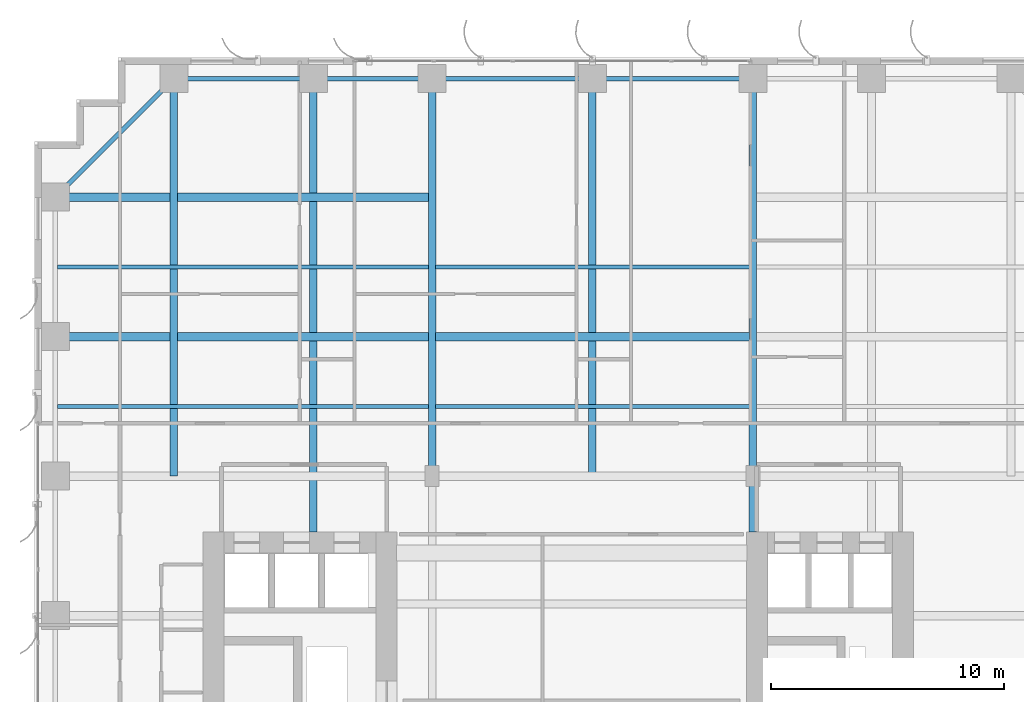
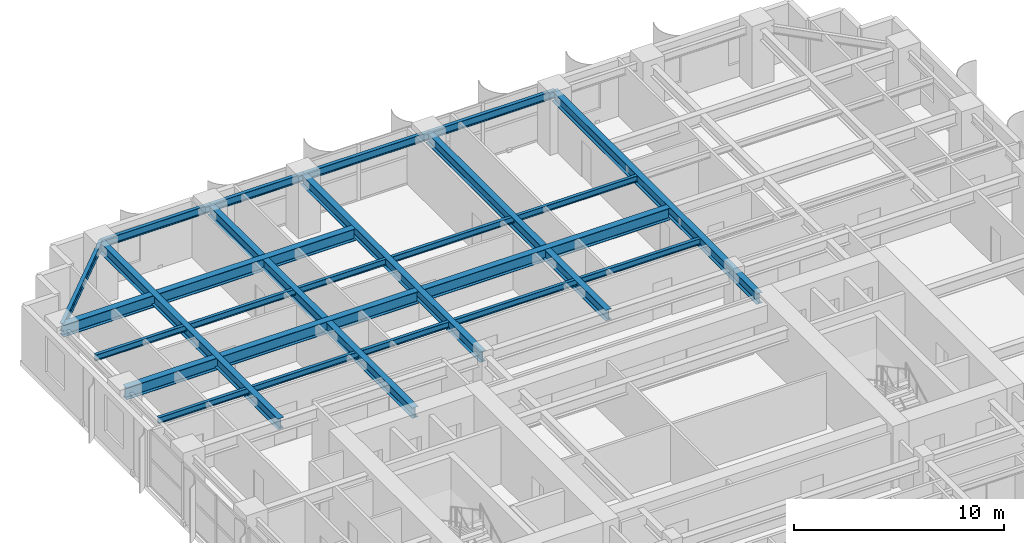
# One storey, part 9 of 23: 17 beams.
"""IFC4 building model written with IfcOpenShell, lengths in metres."""

from ifc_helpers import new_model, si_unit, direction, frame, origin, origin_2d, place, context, subcontext, project, spatial, i_section, extrude, source, transform, mapped, material, material_profile, profile_set, type_object, element, save


model = new_model("IFC4")

# Units and contexts
model_context = context("Model", 3, precision=1e-05, world=origin(), true_north=direction((0.0, 1.0)))
body_context = subcontext(model_context, "Body", "Model", "MODEL_VIEW")
ifc_project = project(units=[si_unit("LENGTHUNIT", "METRE"), si_unit("AREAUNIT", "SQUARE_METRE"), si_unit("VOLUMEUNIT", "CUBIC_METRE"), si_unit("PLANEANGLEUNIT", "RADIAN"), si_unit("MASSUNIT", "GRAM", prefix="KILO")], contexts=[model_context])

# Site, building, storey
site_placement = place(None, origin())
site = spatial("IfcSite", under=ifc_project, at=site_placement, CompositionType="ELEMENT")
building_placement = place(site_placement, origin())
building = spatial("IfcBuilding", under=site, at=building_placement, Name="Khoralis Quay Care Tower", CompositionType="ELEMENT")
storey_placement = place(building_placement, frame((0.0, 0.0, 72.89990234375)))
storey = spatial("IfcBuildingStorey", under=building, at=storey_placement, Name="L19", CompositionType="ELEMENT", Elevation=72.89990234375)

# Beams
ifc_material = material(Name="Steel S355", Category="steel")
ifc_material_profile_1 = material_profile(ifc_material, i_section(OverallWidth=0.18994140625, OverallDepth=0.449951171875, WebThickness=0.009521484375, FlangeThickness=0.0146484375, FilletRadius=0.02099609375, at=origin_2d()), Name="Steel S355")
ifc_profile_set_1 = profile_set([ifc_material_profile_1], Name="Steel S355")
beam_type_1 = type_object("IfcBeamType", Name="BM-IPE450", PredefinedType="SPANDREL", material=ifc_profile_set_1)
shared_shape_1 = source(origin(), body_context, "Body", "SweptSolid", [
    extrude(i_section(OverallWidth=0.18994140625, OverallDepth=0.449951171875, WebThickness=0.009521484375, FlangeThickness=0.0146484375, FilletRadius=0.02099609375, at=origin_2d()), origin(), (0.0, 0.0, 1.0), 6.0),
])
beam_1_placement = place(storey_placement, frame((6.0, 47.10009765625, 3.05517578125), z_axis=(1.0, 0.0, 0.0), x_axis=(0.0, 1.0, 0.0)))
element("IfcBeam", 1, at=beam_1_placement, inside=storey, type_object=beam_type_1, Name="BM-TSP-L19-07", PredefinedType="SPANDREL", context=body_context, shape_type="MappedRepresentation", body=[
    mapped(shared_shape_1, transform((0.0, 0.0, 0.0), scale=1.0)),
])
shared_shape_2 = source(origin(), body_context, "Body", "SweptSolid", [
    extrude(i_section(OverallWidth=0.18994140625, OverallDepth=0.449951171875, WebThickness=0.009521484375, FlangeThickness=0.0146484375, FilletRadius=0.02099609375, at=origin_2d()), origin(), (0.0, 0.0, 1.0), 5.10009765625),
])
beam_2_placement = place(storey_placement, frame((12.0, 47.10009765625, 3.05517578125), z_axis=(1.0, 0.0, 0.0), x_axis=(0.0, 1.0, 0.0)))
element("IfcBeam", 2, at=beam_2_placement, inside=storey, type_object=beam_type_1, Name="BM-TSP-L19-08", PredefinedType="SPANDREL", context=body_context, shape_type="MappedRepresentation", body=[
    mapped(shared_shape_2, transform((0.0, 0.0, 0.0), scale=1.0)),
])
shared_shape_3 = source(origin(), body_context, "Body", "SweptSolid", [
    extrude(i_section(OverallWidth=0.18994140625, OverallDepth=0.449951171875, WebThickness=0.009521484375, FlangeThickness=0.0146484375, FilletRadius=0.02099609375, at=origin_2d()), origin(), (0.0, 0.0, 1.0), 6.89990234375),
])
for number, where, z_axis, x_axis, name in (
    (3, (17.10009765625, 47.10009765625, 3.05517578125), (1.0, 0.0, 0.0), (0.0, 1.0, 0.0), "BM-TSP-L19-09"),
    (4, (24.0, 47.10009765625, 3.05517578125), (1.0, 0.0, 0.0), (0.0, 1.0, 0.0), "BM-TSP-L19-10"),
):
    element("IfcBeam", number, at=place(storey_placement, frame(where, z_axis=z_axis, x_axis=x_axis)), inside=storey, type_object=beam_type_1, Name=name, PredefinedType="SPANDREL", context=body_context, shape_type="MappedRepresentation", body=[
        mapped(shared_shape_3, transform((0.0, 0.0, 0.0), scale=1.0)),
    ])
shared_shape_4 = source(origin(), body_context, "Body", "SweptSolid", [
    extrude(i_section(OverallWidth=0.18994140625, OverallDepth=0.449951171875, WebThickness=0.009521484375, FlangeThickness=0.0146484375, FilletRadius=0.02099609375, at=origin_2d()), origin(), (0.0, 0.0, 1.0), 7.212646484375),
])
beam_3_placement = place(storey_placement, frame((6.0, 47.10009765625, 3.05517578125), z_axis=(-0.707106781187, -0.707106781187, 0.0), x_axis=(0.707106781187, -0.707106781187, 0.0)))
element("IfcBeam", 5, at=beam_3_placement, inside=storey, type_object=beam_type_1, Name="BM-TCR-L19-27", PredefinedType="SPANDREL", context=body_context, shape_type="MappedRepresentation", body=[
    mapped(shared_shape_4, transform((0.0, 0.0, 0.0), scale=1.0)),
])
ifc_material_profile_2 = material_profile(ifc_material, i_section(OverallWidth=0.35498046875, OverallDepth=0.695068359375, WebThickness=0.015380859375, FlangeThickness=0.02490234375, FilletRadius=0.02001953125, at=origin_2d()), Name="Steel S355")
ifc_profile_set_2 = profile_set([ifc_material_profile_2], Name="Steel S355")
beam_type_2 = type_object("IfcBeamType", Name="BM-W690X217", PredefinedType="BEAM", material=ifc_profile_set_2)
shared_shape_5 = source(origin(), body_context, "Body", "SweptSolid", [
    extrude(i_section(OverallWidth=0.35498046875, OverallDepth=0.695068359375, WebThickness=0.015380859375, FlangeThickness=0.02490234375, FilletRadius=0.02001953125, at=origin_2d()), origin(), (0.0, 0.0, 1.0), 16.049560546875),
])
for number, where, z_axis, x_axis, name in (
    (6, (0.89990234375, 36.0, 2.9326171875), (1.0, 0.0, 0.0), (0.0, 1.0, 0.0), "BM-TGXW-L19-360"),
    (7, (0.89990234375, 42.0, 2.9326171875), (1.0, 0.0, 0.0), (0.0, 1.0, 0.0), "BM-TGXW-L19-420"),
):
    element("IfcBeam", number, at=place(storey_placement, frame(where, z_axis=z_axis, x_axis=x_axis)), inside=storey, type_object=beam_type_2, Name=name, PredefinedType="BEAM", context=body_context, shape_type="MappedRepresentation", body=[
        mapped(shared_shape_5, transform((0.0, 0.0, 0.0), scale=1.0)),
    ])
shared_shape_6 = source(origin(), body_context, "Body", "SweptSolid", [
    extrude(i_section(OverallWidth=0.35498046875, OverallDepth=0.695068359375, WebThickness=0.015380859375, FlangeThickness=0.02490234375, FilletRadius=0.02001953125, at=origin_2d()), origin(), (0.0, 0.0, 1.0), 13.4990234375),
])
beam_4_placement = place(storey_placement, frame((17.25048828125, 36.0, 2.9326171875), z_axis=(1.0, 0.0, 0.0), x_axis=(0.0, 1.0, 0.0)))
element("IfcBeam", 8, at=beam_4_placement, inside=storey, type_object=beam_type_2, Name="BM-TGCC-L19-360", PredefinedType="BEAM", context=body_context, shape_type="MappedRepresentation", body=[
    mapped(shared_shape_6, transform((0.0, 0.0, 0.0), scale=1.0)),
])
ifc_material_profile_3 = material_profile(ifc_material, i_section(OverallWidth=0.324951171875, OverallDepth=0.615966796875, WebThickness=0.013916015625, FlangeThickness=0.021484375, FilletRadius=0.01806640625, at=origin_2d()), Name="Steel S355")
ifc_profile_set_3 = profile_set([ifc_material_profile_3], Name="Steel S355")
beam_type_3 = type_object("IfcBeamType", Name="BM-W610X174", PredefinedType="BEAM", material=ifc_profile_set_3)
shared_shape_7 = source(origin(), body_context, "Body", "SweptSolid", [
    extrude(i_section(OverallWidth=0.324951171875, OverallDepth=0.615966796875, WebThickness=0.013916015625, FlangeThickness=0.021484375, FilletRadius=0.01806640625, at=origin_2d()), origin(), (0.0, 0.0, 1.0), 17.10009765625),
])
for number, where, z_axis, x_axis, name in (
    (9, (6.0, 30.0, 2.97216796875), (0.0, 1.0, 0.0), (-1.0, 0.0, 0.0), "BM-TGYN-L19-60"),
    (10, (17.10009765625, 30.0, 2.97216796875), (0.0, 1.0, 0.0), (-1.0, 0.0, 0.0), "BM-TGYN-L19-171"),
    (11, (24.0, 30.0, 2.97216796875), (0.0, 1.0, 0.0), (-1.0, 0.0, 0.0), "BM-TGYN-L19-240"),
):
    element("IfcBeam", number, at=place(storey_placement, frame(where, z_axis=z_axis, x_axis=x_axis)), inside=storey, type_object=beam_type_3, Name=name, PredefinedType="BEAM", context=body_context, shape_type="MappedRepresentation", body=[
        mapped(shared_shape_7, transform((0.0, 0.0, 0.0), scale=1.0)),
    ])
shared_shape_8 = source(origin(), body_context, "Body", "SweptSolid", [
    extrude(i_section(OverallWidth=0.324951171875, OverallDepth=0.615966796875, WebThickness=0.013916015625, FlangeThickness=0.021484375, FilletRadius=0.01806640625, at=origin_2d()), origin(), (0.0, 0.0, 1.0), 19.502197265625),
])
for number, where, z_axis, x_axis, name in (
    (12, (12.0, 27.597900390625, 2.97216796875), (0.0, 1.0, 0.0), (-1.0, 0.0, 0.0), "BM-TGYN-L19-120"),
    (13, (30.89990234375, 27.597900390625, 2.97216796875), (0.0, 1.0, 0.0), (-1.0, 0.0, 0.0), "BM-TGYN-L19-309"),
):
    element("IfcBeam", number, at=place(storey_placement, frame(where, z_axis=z_axis, x_axis=x_axis)), inside=storey, type_object=beam_type_3, Name=name, PredefinedType="BEAM", context=body_context, shape_type="MappedRepresentation", body=[
        mapped(shared_shape_8, transform((0.0, 0.0, 0.0), scale=1.0)),
    ])
ifc_material_profile_4 = material_profile(ifc_material, i_section(OverallWidth=0.1708984375, OverallDepth=0.35498046875, WebThickness=0.007080078125, FlangeThickness=0.01171875, FilletRadius=0.012939453125, at=origin_2d()), Name="Steel S355")
ifc_profile_set_4 = profile_set([ifc_material_profile_4], Name="Steel S355")
beam_type_4 = type_object("IfcBeamType", Name="BM-W360X51", PredefinedType="JOIST", material=ifc_profile_set_4)
shared_shape_9 = source(origin(), body_context, "Body", "SweptSolid", [
    extrude(i_section(OverallWidth=0.1708984375, OverallDepth=0.35498046875, WebThickness=0.007080078125, FlangeThickness=0.01171875, FilletRadius=0.012939453125, at=origin_2d()), origin(), (0.0, 0.0, 1.0), 15.968505859375),
])
for number, where, z_axis, x_axis, name in (
    (14, (0.98095703125, 33.0, 3.1025390625), (1.0, 0.0, 0.0), (0.0, 1.0, 0.0), "BM-TJS-L19-32"),
    (15, (0.98095703125, 39.0, 3.1025390625), (1.0, 0.0, 0.0), (0.0, 1.0, 0.0), "BM-TJS-L19-35"),
):
    element("IfcBeam", number, at=place(storey_placement, frame(where, z_axis=z_axis, x_axis=x_axis)), inside=storey, type_object=beam_type_4, Name=name, PredefinedType="JOIST", context=body_context, shape_type="MappedRepresentation", body=[
        mapped(shared_shape_9, transform((0.0, 0.0, 0.0), scale=1.0)),
    ])
shared_shape_10 = source(origin(), body_context, "Body", "SweptSolid", [
    extrude(i_section(OverallWidth=0.1708984375, OverallDepth=0.35498046875, WebThickness=0.007080078125, FlangeThickness=0.01171875, FilletRadius=0.012939453125, at=origin_2d()), origin(), (0.0, 0.0, 1.0), 13.4990234375),
])
for number, where, z_axis, x_axis, name in (
    (16, (17.25048828125, 33.0, 3.1025390625), (1.0, 0.0, 0.0), (0.0, 1.0, 0.0), "BM-TJS-L19-34"),
    (17, (17.25048828125, 39.0, 3.1025390625), (1.0, 0.0, 0.0), (0.0, 1.0, 0.0), "BM-TJS-L19-37"),
):
    element("IfcBeam", number, at=place(storey_placement, frame(where, z_axis=z_axis, x_axis=x_axis)), inside=storey, type_object=beam_type_4, Name=name, PredefinedType="JOIST", context=body_context, shape_type="MappedRepresentation", body=[
        mapped(shared_shape_10, transform((0.0, 0.0, 0.0), scale=1.0)),
    ])

save(model, "model.ifc")
